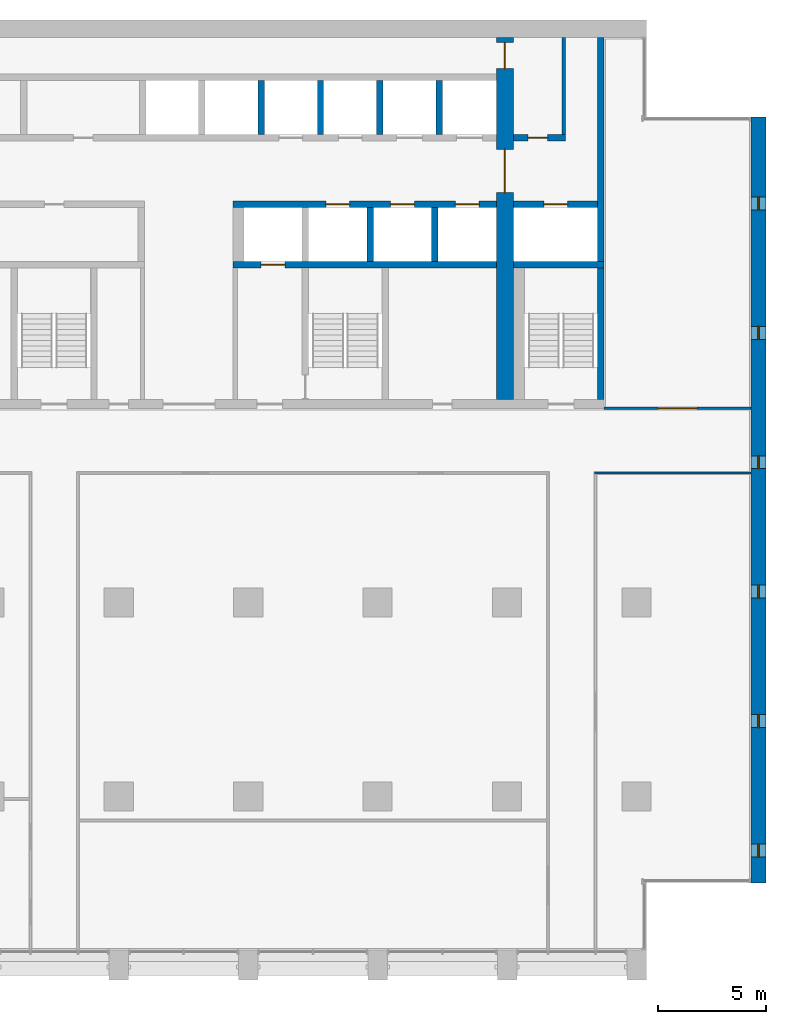
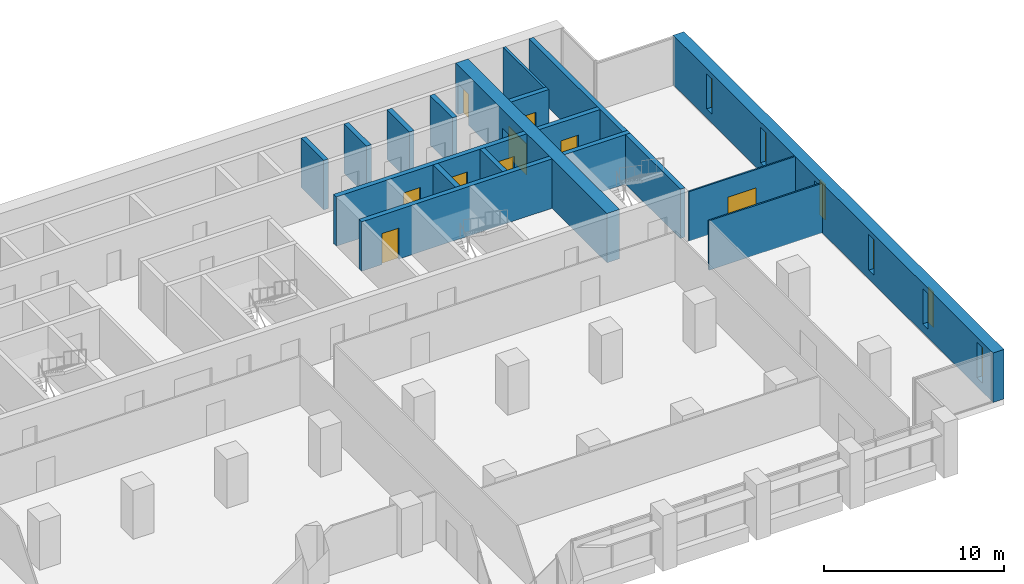
# One storey, part 11 of 15: 18 walls, 9 doors, 6 windows, 15 openings.
"""IFC4 building model written with IfcOpenShell, lengths in metres."""

from ifc_helpers import new_model, si_unit, direction, frame, frame_2d, origin, place, context, subcontext, project, spatial, rectangle, extrude, material, layer, layer_set, type_object, element, fill, save


model = new_model("IFC4")

# Units and contexts
model_context = context("Model", 3, precision=1e-05, world=origin(), true_north=direction((0.0, 1.0)))
body_context = subcontext(model_context, "Body", "Model", "MODEL_VIEW")
ifc_project = project(units=[si_unit("LENGTHUNIT", "METRE"), si_unit("AREAUNIT", "SQUARE_METRE"), si_unit("VOLUMEUNIT", "CUBIC_METRE"), si_unit("PLANEANGLEUNIT", "RADIAN"), si_unit("MASSUNIT", "GRAM", prefix="KILO")], contexts=[model_context])

# Site, building, storey
site_placement = place(None, origin())
site = spatial("IfcSite", under=ifc_project, at=site_placement, CompositionType="ELEMENT")
building_placement = place(site_placement, origin())
building = spatial("IfcBuilding", under=site, at=building_placement, Name="Calvaro Tower", CompositionType="ELEMENT")
storey_placement = place(building_placement, frame((0.0, 0.0, 113.75)))
storey = spatial("IfcBuildingStorey", under=building, at=storey_placement, Name="L28", CompositionType="ELEMENT", Elevation=113.75)

# Wall
ifc_material_1 = material(Name="Blockwork partition", Category="masonry")
ifc_layer_1 = layer(ifc_material_1, 0.14990234375)
ifc_layer_set_1 = layer_set([ifc_layer_1], Name="Blockwork partition")
wall_type_1 = type_object("IfcWallType", Name="Core partition 150 REI 120", PredefinedType="PARTITIONING", material=ifc_layer_set_1)
wall_1_placement = place(storey_placement, frame((62.625, 40.699951171875, 0.0), z_axis=(0.0, 0.0, 1.0), x_axis=(0.0, 1.0, 0.0)))
element("IfcWall", 1, at=wall_1_placement, inside=storey, type_object=wall_type_1, Name="Core partition", PredefinedType="PARTITIONING", context=body_context, shape_type="SweptSolid", body=[
    extrude(rectangle(XDim=4.5, YDim=0.14990234375, at=frame_2d((2.25, 0.0))), origin(), (0.0, 0.0, 1.0), 3.35009765625),
])

# Wall, opening, door
ifc_material_2 = material(Name="Blockwork partition", Category="masonry")
ifc_layer_2 = layer(ifc_material_2, 0.300048828125)
ifc_layer_set_2 = layer_set([ifc_layer_2], Name="Blockwork partition")
wall_type_2 = type_object("IfcWallType", Name="Core partition 300 REI 120", PredefinedType="PARTITIONING", material=ifc_layer_set_2)
wall_2_placement = place(storey_placement, frame((60.300048828125, 40.550048828125, 0.0), z_axis=(0.0, 0.0, 1.0), x_axis=(1.0, 0.0, 0.0)))
wall_2 = element("IfcWall", 2, at=wall_2_placement, inside=storey, type_object=wall_type_2, Name="Core partition", PredefinedType="PARTITIONING", context=body_context, shape_type="SweptSolid", body=[
    extrude(rectangle(XDim=2.39990234375, YDim=0.300048828125, at=frame_2d((1.199951171875, 0.0))), origin(), (0.0, 0.0, 1.0), 3.35009765625),
])
opening_1_placement = place(wall_2_placement, frame((0.675048828125, 0.0, 0.0)))
opening_1 = element("IfcOpeningElement", 3, at=opening_1_placement, cuts=wall_2, Name="Opening RD9C", PredefinedType="OPENING", context=body_context, shape_type="SweptSolid", body=[
    extrude(rectangle(XDim=0.89990234375, YDim=2.10009765625, at=frame_2d((0.449951171875, 1.050048828125))), frame((0.0, 0.159912109375, 0.0), z_axis=(0.0, -1.0, 0.0), x_axis=(1.0, 0.0, 0.0)), (0.0, 0.0, 1.0), 0.320068359375),
])
ifc_material_3 = material(Name="Steel door set", Category="steel")
door_type_1 = type_object("IfcDoorType", Name="Room door 900 FD30", OperationType="SINGLE_SWING_LEFT", PredefinedType="DOOR", material=ifc_material_3)
door_1_placement = place(opening_1_placement, origin())
door_1 = element("IfcDoor", 4, at=door_1_placement, inside=storey, type_object=door_type_1, Name="Room door", OperationType="SINGLE_SWING_LEFT", OverallHeight=2.10009765625, OverallWidth=0.89990234375, PredefinedType="DOOR", context=body_context, shape_type="SweptSolid", body=[
    extrude(rectangle(XDim=0.89990234375, YDim=2.10009765625, at=frame_2d((0.449951171875, 1.050048828125))), frame((0.0, 0.02490234375, 0.0), z_axis=(0.0, -1.0, 0.0), x_axis=(1.0, 0.0, 0.0)), (0.0, 0.0, 1.0), 0.050048828125),
])
fill(opening_1, door_1)

# Walls
ifc_material_4 = material(Name="Concrete C60/75", Category="concrete")
ifc_layer_3 = layer(ifc_material_4, 0.300048828125)
ifc_layer_set_3 = layer_set([ifc_layer_3], Name="Concrete C60/75")
wall_type_3 = type_object("IfcWallType", Name="Core wall C60/75 300", PredefinedType="SHEAR", material=ifc_layer_set_3)
wall_3_placement = place(storey_placement, frame((64.35009765625, 34.800048828125, 0.0), z_axis=(0.0, 0.0, 1.0), x_axis=(0.0, 1.0, 0.0)))
element("IfcWall", 5, at=wall_3_placement, inside=storey, type_object=wall_type_3, Name="Core wall, boundary", PredefinedType="SHEAR", context=body_context, shape_type="SweptSolid", body=[
    extrude(rectangle(XDim=10.39990234375, YDim=0.300048828125, at=frame_2d((5.199951171875, 0.0))), origin(), (0.0, 0.0, 1.0), 3.35009765625),
])
wall_4_placement = place(storey_placement, frame((64.35009765625, 28.39990234375, 0.0), z_axis=(0.0, 0.0, 1.0), x_axis=(0.0, 1.0, 0.0)))
element("IfcWall", 6, at=wall_4_placement, inside=storey, type_object=wall_type_3, Name="Core wall, stair enclosure", PredefinedType="SHEAR", context=body_context, shape_type="SweptSolid", body=[
    extrude(rectangle(XDim=6.10009765625, YDim=0.300048828125, at=frame_2d((3.050048828125, 0.0))), origin(), (0.0, 0.0, 1.0), 3.35009765625),
])

# Wall, opening, door
wall_5_placement = place(storey_placement, frame((47.300048828125, 34.64990234375, 0.0), z_axis=(0.0, 0.0, 1.0), x_axis=(1.0, 0.0, 0.0)))
wall_5 = element("IfcWall", 7, at=wall_5_placement, inside=storey, type_object=wall_type_3, Name="Core wall, lift shaft", PredefinedType="SHEAR", context=body_context, shape_type="SweptSolid", body=[
    extrude(rectangle(XDim=12.199951171875, YDim=0.300048828125, at=frame_2d((6.10009765625, 0.0))), origin(), (0.0, 0.0, 1.0), 3.35009765625),
])
opening_2_placement = place(wall_5_placement, frame((1.300048828125, 0.0, 0.0)))
opening_2 = element("IfcOpeningElement", 8, at=opening_2_placement, cuts=wall_5, Name="Opening FF2", PredefinedType="OPENING", context=body_context, shape_type="SweptSolid", body=[
    extrude(rectangle(XDim=1.10009765625, YDim=2.10009765625, at=frame_2d((0.550048828125, 1.050048828125))), frame((0.0, 0.159912109375, 0.0), z_axis=(0.0, -1.0, 0.0), x_axis=(1.0, 0.0, 0.0)), (0.0, 0.0, 1.0), 0.320068359375),
])
ifc_material_5 = material(Name="Stainless steel", Category="steel")
door_type_2 = type_object("IfcDoorType", Name="Landing door 1100 E 60", OperationType="SLIDING_TO_LEFT", PredefinedType="DOOR", material=ifc_material_5)
door_2_placement = place(opening_2_placement, origin())
door_2 = element("IfcDoor", 9, at=door_2_placement, inside=storey, type_object=door_type_2, Name="Landing door FF2", OperationType="SLIDING_TO_LEFT", OverallHeight=2.10009765625, OverallWidth=1.10009765625, PredefinedType="DOOR", context=body_context, shape_type="SweptSolid", body=[
    extrude(rectangle(XDim=1.10009765625, YDim=2.10009765625, at=frame_2d((0.550048828125, 1.050048828125))), frame((0.0, 0.02490234375, 0.0), z_axis=(0.0, -1.0, 0.0), x_axis=(1.0, 0.0, 0.0)), (0.0, 0.0, 1.0), 0.050048828125),
])
fill(opening_2, door_2)

# Wall
wall_6_placement = place(storey_placement, frame((60.300048828125, 34.64990234375, 0.0), z_axis=(0.0, 0.0, 1.0), x_axis=(1.0, 0.0, 0.0)))
element("IfcWall", 10, at=wall_6_placement, inside=storey, type_object=wall_type_3, Name="Core wall, lift shaft", PredefinedType="SHEAR", context=body_context, shape_type="SweptSolid", body=[
    extrude(rectangle(XDim=4.199951171875, YDim=0.300048828125, at=frame_2d((2.10009765625, 0.0))), origin(), (0.0, 0.0, 1.0), 3.35009765625),
])

# Wall, openings, doors
wall_7_placement = place(storey_placement, frame((47.300048828125, 37.449951171875, 0.0), z_axis=(0.0, 0.0, 1.0), x_axis=(1.0, 0.0, 0.0)))
wall_7 = element("IfcWall", 11, at=wall_7_placement, inside=storey, type_object=wall_type_3, Name="Core wall, lift shaft", PredefinedType="SHEAR", context=body_context, shape_type="SweptSolid", body=[
    extrude(rectangle(XDim=12.199951171875, YDim=0.300048828125, at=frame_2d((6.10009765625, 0.0))), origin(), (0.0, 0.0, 1.0), 3.35009765625),
])
opening_3_placement = place(wall_7_placement, frame((4.300048828125, 0.0, 0.0)))
opening_3 = element("IfcOpeningElement", 12, at=opening_3_placement, cuts=wall_7, Name="Opening MR1", PredefinedType="OPENING", context=body_context, shape_type="SweptSolid", body=[
    extrude(rectangle(XDim=1.10009765625, YDim=2.10009765625, at=frame_2d((0.550048828125, 1.050048828125))), frame((0.0, 0.159912109375, 0.0), z_axis=(0.0, -1.0, 0.0), x_axis=(1.0, 0.0, 0.0)), (0.0, 0.0, 1.0), 0.320068359375),
])
opening_4_placement = place(wall_7_placement, frame((7.300048828125, 0.0, 0.0)))
opening_4 = element("IfcOpeningElement", 13, at=opening_4_placement, cuts=wall_7, Name="Opening MR2", PredefinedType="OPENING", context=body_context, shape_type="SweptSolid", body=[
    extrude(rectangle(XDim=1.10009765625, YDim=2.10009765625, at=frame_2d((0.550048828125, 1.050048828125))), frame((0.0, 0.159912109375, 0.0), z_axis=(0.0, -1.0, 0.0), x_axis=(1.0, 0.0, 0.0)), (0.0, 0.0, 1.0), 0.320068359375),
])
opening_5_placement = place(wall_7_placement, frame((10.300048828125, 0.0, 0.0)))
opening_5 = element("IfcOpeningElement", 14, at=opening_5_placement, cuts=wall_7, Name="Opening MR3", PredefinedType="OPENING", context=body_context, shape_type="SweptSolid", body=[
    extrude(rectangle(XDim=1.10009765625, YDim=2.10009765625, at=frame_2d((0.550048828125, 1.050048828125))), frame((0.0, 0.159912109375, 0.0), z_axis=(0.0, -1.0, 0.0), x_axis=(1.0, 0.0, 0.0)), (0.0, 0.0, 1.0), 0.320068359375),
])
door_3_placement = place(opening_3_placement, origin())
door_3 = element("IfcDoor", 15, at=door_3_placement, inside=storey, type_object=door_type_2, Name="Landing door MR1", OperationType="SLIDING_TO_LEFT", OverallHeight=2.10009765625, OverallWidth=1.10009765625, PredefinedType="DOOR", context=body_context, shape_type="SweptSolid", body=[
    extrude(rectangle(XDim=1.10009765625, YDim=2.10009765625, at=frame_2d((0.550048828125, 1.050048828125))), frame((0.0, 0.02490234375, 0.0), z_axis=(0.0, -1.0, 0.0), x_axis=(1.0, 0.0, 0.0)), (0.0, 0.0, 1.0), 0.050048828125),
])
fill(opening_3, door_3)
door_4_placement = place(opening_4_placement, origin())
door_4 = element("IfcDoor", 16, at=door_4_placement, inside=storey, type_object=door_type_2, Name="Landing door MR2", OperationType="SLIDING_TO_LEFT", OverallHeight=2.10009765625, OverallWidth=1.10009765625, PredefinedType="DOOR", context=body_context, shape_type="SweptSolid", body=[
    extrude(rectangle(XDim=1.10009765625, YDim=2.10009765625, at=frame_2d((0.550048828125, 1.050048828125))), frame((0.0, 0.02490234375, 0.0), z_axis=(0.0, -1.0, 0.0), x_axis=(1.0, 0.0, 0.0)), (0.0, 0.0, 1.0), 0.050048828125),
])
fill(opening_4, door_4)
door_5_placement = place(opening_5_placement, origin())
door_5 = element("IfcDoor", 17, at=door_5_placement, inside=storey, type_object=door_type_2, Name="Landing door MR3", OperationType="SLIDING_TO_LEFT", OverallHeight=2.10009765625, OverallWidth=1.10009765625, PredefinedType="DOOR", context=body_context, shape_type="SweptSolid", body=[
    extrude(rectangle(XDim=1.10009765625, YDim=2.10009765625, at=frame_2d((0.550048828125, 1.050048828125))), frame((0.0, 0.02490234375, 0.0), z_axis=(0.0, -1.0, 0.0), x_axis=(1.0, 0.0, 0.0)), (0.0, 0.0, 1.0), 0.050048828125),
])
fill(opening_5, door_5)

# Wall, opening, door
wall_8_placement = place(storey_placement, frame((60.300048828125, 37.449951171875, 0.0), z_axis=(0.0, 0.0, 1.0), x_axis=(1.0, 0.0, 0.0)))
wall_8 = element("IfcWall", 18, at=wall_8_placement, inside=storey, type_object=wall_type_3, Name="Core wall, lift shaft", PredefinedType="SHEAR", context=body_context, shape_type="SweptSolid", body=[
    extrude(rectangle(XDim=3.89990234375, YDim=0.300048828125, at=frame_2d((1.949951171875, 0.0))), origin(), (0.0, 0.0, 1.0), 3.35009765625),
])
opening_6_placement = place(wall_8_placement, frame((1.39990234375, 0.0, 0.0)))
opening_6 = element("IfcOpeningElement", 19, at=opening_6_placement, cuts=wall_8, Name="Opening FF3", PredefinedType="OPENING", context=body_context, shape_type="SweptSolid", body=[
    extrude(rectangle(XDim=1.10009765625, YDim=2.10009765625, at=frame_2d((0.550048828125, 1.050048828125))), frame((0.0, 0.159912109375, 0.0), z_axis=(0.0, -1.0, 0.0), x_axis=(1.0, 0.0, 0.0)), (0.0, 0.0, 1.0), 0.320068359375),
])
door_6_placement = place(opening_6_placement, origin())
door_6 = element("IfcDoor", 20, at=door_6_placement, inside=storey, type_object=door_type_2, Name="Landing door FF3", OperationType="SLIDING_TO_LEFT", OverallHeight=2.10009765625, OverallWidth=1.10009765625, PredefinedType="DOOR", context=body_context, shape_type="SweptSolid", body=[
    extrude(rectangle(XDim=1.10009765625, YDim=2.10009765625, at=frame_2d((0.550048828125, 1.050048828125))), frame((0.0, 0.02490234375, 0.0), z_axis=(0.0, -1.0, 0.0), x_axis=(1.0, 0.0, 0.0)), (0.0, 0.0, 1.0), 0.050048828125),
])
fill(opening_6, door_6)

# Walls
for number, where, z_axis, x_axis, name in (
    (21, (53.64990234375, 34.800048828125, 0.0), (0.0, 0.0, 1.0), (0.0, 1.0, 0.0), "Core wall, lift shaft"),
    (22, (56.64990234375, 34.800048828125, 0.0), (0.0, 0.0, 1.0), (0.0, 1.0, 0.0), "Core wall, lift shaft"),
    (23, (48.60009765625, 40.699951171875, 0.0), (0.0, 0.0, 1.0), (0.0, 1.0, 0.0), "Core wall, lift shaft"),
    (24, (51.35009765625, 40.699951171875, 0.0), (0.0, 0.0, 1.0), (0.0, 1.0, 0.0), "Core wall, lift shaft"),
    (25, (54.10009765625, 40.699951171875, 0.0), (0.0, 0.0, 1.0), (0.0, 1.0, 0.0), "Core wall, lift shaft"),
    (26, (56.85009765625, 40.699951171875, 0.0), (0.0, 0.0, 1.0), (0.0, 1.0, 0.0), "Core wall, lift shaft"),
):
    element("IfcWall", number, at=place(storey_placement, frame(where, z_axis=z_axis, x_axis=x_axis)), inside=storey, type_object=wall_type_3, Name=name, PredefinedType="SHEAR", context=body_context, shape_type="SweptSolid", body=[
        extrude(rectangle(XDim=2.5, YDim=0.300048828125, at=frame_2d((1.25, 0.0))), origin(), (0.0, 0.0, 1.0), 3.35009765625),
    ])

# Wall, openings, doors
ifc_material_6 = material(Name="Concrete C60/75", Category="concrete")
ifc_layer_4 = layer(ifc_material_6, 0.800048828125)
ifc_layer_set_4 = layer_set([ifc_layer_4], Name="Concrete C60/75")
wall_type_4 = type_object("IfcWallType", Name="Core wall C60/75 800", PredefinedType="SHEAR", material=ifc_layer_set_4)
wall_9_placement = place(storey_placement, frame((59.89990234375, 28.39990234375, 0.0), z_axis=(0.0, 0.0, 1.0), x_axis=(0.0, 1.0, 0.0)))
wall_9 = element("IfcWall", 27, at=wall_9_placement, inside=storey, type_object=wall_type_4, Name="Core wall, cross shear wall", PredefinedType="SHEAR", context=body_context, shape_type="SweptSolid", body=[
    extrude(rectangle(XDim=16.800048828125, YDim=0.800048828125, at=frame_2d((8.39990234375, 0.0))), origin(), (0.0, 0.0, 1.0), 3.35009765625),
])
opening_7_placement = place(wall_9_placement, frame((9.60009765625, 0.0, 0.0)))
opening_7 = element("IfcOpeningElement", 28, at=opening_7_placement, cuts=wall_9, Name="Opening DD20D", PredefinedType="OPENING", context=body_context, shape_type="SweptSolid", body=[
    extrude(rectangle(XDim=2.0, YDim=2.10009765625, at=frame_2d((1.0, 1.050048828125))), frame((0.0, 0.409912109375, 0.0), z_axis=(0.0, -1.0, 0.0), x_axis=(1.0, 0.0, 0.0)), (0.0, 0.0, 1.0), 0.820068359375),
])
opening_8_placement = place(wall_9_placement, frame((15.35009765625, 0.0, 0.0)))
opening_8 = element("IfcOpeningElement", 29, at=opening_8_placement, cuts=wall_9, Name="Opening FD12C", PredefinedType="OPENING", context=body_context, shape_type="SweptSolid", body=[
    extrude(rectangle(XDim=1.199951171875, YDim=2.10009765625, at=frame_2d((0.60009765625, 1.050048828125))), frame((0.0, 0.409912109375, 0.0), z_axis=(0.0, -1.0, 0.0), x_axis=(1.0, 0.0, 0.0)), (0.0, 0.0, 1.0), 0.820068359375),
])
ifc_material_7 = material(Name="Steel door set", Category="steel")
door_type_3 = type_object("IfcDoorType", Name="Fire door 1200 FD30", OperationType="SINGLE_SWING_LEFT", PredefinedType="DOOR", material=ifc_material_7)
door_7_placement = place(opening_8_placement, origin())
door_7 = element("IfcDoor", 30, at=door_7_placement, inside=storey, type_object=door_type_3, Name="Fire door", OperationType="SINGLE_SWING_LEFT", OverallHeight=2.10009765625, OverallWidth=1.199951171875, PredefinedType="DOOR", context=body_context, shape_type="SweptSolid", body=[
    extrude(rectangle(XDim=1.199951171875, YDim=2.10009765625, at=frame_2d((0.60009765625, 1.050048828125))), frame((0.0, 0.02490234375, 0.0), z_axis=(0.0, -1.0, 0.0), x_axis=(1.0, 0.0, 0.0)), (0.0, 0.0, 1.0), 0.050048828125),
])
fill(opening_8, door_7)
ifc_material_8 = material(Name="Steel door set", Category="steel")
door_type_4 = type_object("IfcDoorType", Name="Lobby double door 2000 FD30S", OperationType="DOUBLE_DOOR_SINGLE_SWING", PredefinedType="DOOR", material=ifc_material_8)
door_8_placement = place(opening_7_placement, origin())
door_8 = element("IfcDoor", 31, at=door_8_placement, inside=storey, type_object=door_type_4, Name="Lobby double door", OperationType="DOUBLE_DOOR_SINGLE_SWING", OverallHeight=2.10009765625, OverallWidth=2.0, PredefinedType="DOOR", context=body_context, shape_type="SweptSolid", body=[
    extrude(rectangle(XDim=2.0, YDim=2.10009765625, at=frame_2d((1.0, 1.050048828125))), frame((0.0, 0.02490234375, 0.0), z_axis=(0.0, -1.0, 0.0), x_axis=(1.0, 0.0, 0.0)), (0.0, 0.0, 1.0), 0.050048828125),
])
fill(opening_7, door_8)

# Wall, openings, windows
ifc_material_9 = material(Name="Concrete C60/75", Category="concrete")
ifc_layer_5 = layer(ifc_material_9, 0.699951171875)
ifc_layer_set_5 = layer_set([ifc_layer_5], Name="Concrete C60/75")
wall_type_5 = type_object("IfcWallType", Name="End wall 700 C60/75", PredefinedType="SHEAR", material=ifc_layer_set_5)
wall_10_placement = place(storey_placement, frame((71.64990234375, 6.0, 0.0), z_axis=(0.0, 0.0, 1.0), x_axis=(0.0, 1.0, 0.0)))
wall_10 = element("IfcWall", 32, at=wall_10_placement, inside=storey, type_object=wall_type_5, Name="End shear wall", PredefinedType="SHEAR", context=body_context, shape_type="SweptSolid", body=[
    extrude(rectangle(XDim=35.5, YDim=0.699951171875, at=frame_2d((17.75, 0.0))), origin(), (0.0, 0.0, 1.0), 3.35009765625),
])
opening_9_placement = place(wall_10_placement, frame((1.199951171875, 0.0, 0.60009765625)))
opening_9 = element("IfcOpeningElement", 33, at=opening_9_placement, cuts=wall_10, Name="Opening WE01", PredefinedType="OPENING", context=body_context, shape_type="SweptSolid", body=[
    extrude(rectangle(XDim=0.60009765625, YDim=2.39990234375, at=frame_2d((0.300048828125, 1.199951171875))), frame((0.0, 0.35986328125, 0.0), z_axis=(0.0, -1.0, 0.0), x_axis=(1.0, 0.0, 0.0)), (0.0, 0.0, 1.0), 0.719970703125),
])
opening_10_placement = place(wall_10_placement, frame((7.199951171875, 0.0, 0.60009765625)))
opening_10 = element("IfcOpeningElement", 34, at=opening_10_placement, cuts=wall_10, Name="Opening WE02", PredefinedType="OPENING", context=body_context, shape_type="SweptSolid", body=[
    extrude(rectangle(XDim=0.60009765625, YDim=2.39990234375, at=frame_2d((0.300048828125, 1.199951171875))), frame((0.0, 0.35986328125, 0.0), z_axis=(0.0, -1.0, 0.0), x_axis=(1.0, 0.0, 0.0)), (0.0, 0.0, 1.0), 0.719970703125),
])
opening_11_placement = place(wall_10_placement, frame((13.199951171875, 0.0, 0.60009765625)))
opening_11 = element("IfcOpeningElement", 35, at=opening_11_placement, cuts=wall_10, Name="Opening WE03", PredefinedType="OPENING", context=body_context, shape_type="SweptSolid", body=[
    extrude(rectangle(XDim=0.60009765625, YDim=2.39990234375, at=frame_2d((0.300048828125, 1.199951171875))), frame((0.0, 0.35986328125, 0.0), z_axis=(0.0, -1.0, 0.0), x_axis=(1.0, 0.0, 0.0)), (0.0, 0.0, 1.0), 0.719970703125),
])
opening_12_placement = place(wall_10_placement, frame((19.199951171875, 0.0, 0.60009765625)))
opening_12 = element("IfcOpeningElement", 36, at=opening_12_placement, cuts=wall_10, Name="Opening WE04", PredefinedType="OPENING", context=body_context, shape_type="SweptSolid", body=[
    extrude(rectangle(XDim=0.60009765625, YDim=2.39990234375, at=frame_2d((0.300048828125, 1.199951171875))), frame((0.0, 0.35986328125, 0.0), z_axis=(0.0, -1.0, 0.0), x_axis=(1.0, 0.0, 0.0)), (0.0, 0.0, 1.0), 0.719970703125),
])
opening_13_placement = place(wall_10_placement, frame((25.199951171875, 0.0, 0.60009765625)))
opening_13 = element("IfcOpeningElement", 37, at=opening_13_placement, cuts=wall_10, Name="Opening WE05", PredefinedType="OPENING", context=body_context, shape_type="SweptSolid", body=[
    extrude(rectangle(XDim=0.60009765625, YDim=2.39990234375, at=frame_2d((0.300048828125, 1.199951171875))), frame((0.0, 0.35986328125, 0.0), z_axis=(0.0, -1.0, 0.0), x_axis=(1.0, 0.0, 0.0)), (0.0, 0.0, 1.0), 0.719970703125),
])
opening_14_placement = place(wall_10_placement, frame((31.199951171875, 0.0, 0.60009765625)))
opening_14 = element("IfcOpeningElement", 38, at=opening_14_placement, cuts=wall_10, Name="Opening WE06", PredefinedType="OPENING", context=body_context, shape_type="SweptSolid", body=[
    extrude(rectangle(XDim=0.60009765625, YDim=2.39990234375, at=frame_2d((0.300048828125, 1.199951171875))), frame((0.0, 0.35986328125, 0.0), z_axis=(0.0, -1.0, 0.0), x_axis=(1.0, 0.0, 0.0)), (0.0, 0.0, 1.0), 0.719970703125),
])
ifc_material_10 = material(Name="Glass", Category="glass")
window_type = type_object("IfcWindowType", Name="Slit window 600 x 2400", PartitioningType="SINGLE_PANEL", PredefinedType="WINDOW", material=ifc_material_10)
window_1_placement = place(opening_9_placement, origin())
window_1 = element("IfcWindow", 39, at=window_1_placement, inside=storey, type_object=window_type, Name="Window WE01", OverallHeight=2.39990234375, OverallWidth=0.60009765625, PartitioningType="SINGLE_PANEL", PredefinedType="WINDOW", context=body_context, shape_type="SweptSolid", body=[
    extrude(rectangle(XDim=0.60009765625, YDim=2.39990234375, at=frame_2d((0.300048828125, 1.199951171875))), frame((0.0, 0.030029296875, 0.0), z_axis=(0.0, -1.0, 0.0), x_axis=(1.0, 0.0, 0.0)), (0.0, 0.0, 1.0), 0.06005859375),
])
fill(opening_9, window_1)
window_2_placement = place(opening_10_placement, origin())
window_2 = element("IfcWindow", 40, at=window_2_placement, inside=storey, type_object=window_type, Name="Window WE02", OverallHeight=2.39990234375, OverallWidth=0.60009765625, PartitioningType="SINGLE_PANEL", PredefinedType="WINDOW", context=body_context, shape_type="SweptSolid", body=[
    extrude(rectangle(XDim=0.60009765625, YDim=2.39990234375, at=frame_2d((0.300048828125, 1.199951171875))), frame((0.0, 0.030029296875, 0.0), z_axis=(0.0, -1.0, 0.0), x_axis=(1.0, 0.0, 0.0)), (0.0, 0.0, 1.0), 0.06005859375),
])
fill(opening_10, window_2)
window_3_placement = place(opening_11_placement, origin())
window_3 = element("IfcWindow", 41, at=window_3_placement, inside=storey, type_object=window_type, Name="Window WE03", OverallHeight=2.39990234375, OverallWidth=0.60009765625, PartitioningType="SINGLE_PANEL", PredefinedType="WINDOW", context=body_context, shape_type="SweptSolid", body=[
    extrude(rectangle(XDim=0.60009765625, YDim=2.39990234375, at=frame_2d((0.300048828125, 1.199951171875))), frame((0.0, 0.030029296875, 0.0), z_axis=(0.0, -1.0, 0.0), x_axis=(1.0, 0.0, 0.0)), (0.0, 0.0, 1.0), 0.06005859375),
])
fill(opening_11, window_3)
window_4_placement = place(opening_12_placement, origin())
window_4 = element("IfcWindow", 42, at=window_4_placement, inside=storey, type_object=window_type, Name="Window WE04", OverallHeight=2.39990234375, OverallWidth=0.60009765625, PartitioningType="SINGLE_PANEL", PredefinedType="WINDOW", context=body_context, shape_type="SweptSolid", body=[
    extrude(rectangle(XDim=0.60009765625, YDim=2.39990234375, at=frame_2d((0.300048828125, 1.199951171875))), frame((0.0, 0.030029296875, 0.0), z_axis=(0.0, -1.0, 0.0), x_axis=(1.0, 0.0, 0.0)), (0.0, 0.0, 1.0), 0.06005859375),
])
fill(opening_12, window_4)
window_5_placement = place(opening_13_placement, origin())
window_5 = element("IfcWindow", 43, at=window_5_placement, inside=storey, type_object=window_type, Name="Window WE05", OverallHeight=2.39990234375, OverallWidth=0.60009765625, PartitioningType="SINGLE_PANEL", PredefinedType="WINDOW", context=body_context, shape_type="SweptSolid", body=[
    extrude(rectangle(XDim=0.60009765625, YDim=2.39990234375, at=frame_2d((0.300048828125, 1.199951171875))), frame((0.0, 0.030029296875, 0.0), z_axis=(0.0, -1.0, 0.0), x_axis=(1.0, 0.0, 0.0)), (0.0, 0.0, 1.0), 0.06005859375),
])
fill(opening_13, window_5)
window_6_placement = place(opening_14_placement, origin())
window_6 = element("IfcWindow", 44, at=window_6_placement, inside=storey, type_object=window_type, Name="Window WE06", OverallHeight=2.39990234375, OverallWidth=0.60009765625, PartitioningType="SINGLE_PANEL", PredefinedType="WINDOW", context=body_context, shape_type="SweptSolid", body=[
    extrude(rectangle(XDim=0.60009765625, YDim=2.39990234375, at=frame_2d((0.300048828125, 1.199951171875))), frame((0.0, 0.030029296875, 0.0), z_axis=(0.0, -1.0, 0.0), x_axis=(1.0, 0.0, 0.0)), (0.0, 0.0, 1.0), 0.06005859375),
])
fill(opening_14, window_6)

# Wall
ifc_material_11 = material(Name="Plasterboard on steel studs", Category="steel")
ifc_layer_6 = layer(ifc_material_11, 0.10009765625)
ifc_layer_set_6 = layer_set([ifc_layer_6], Name="Plasterboard on steel studs")
wall_type_6 = type_object("IfcWallType", Name="Partition 100", PredefinedType="PARTITIONING", material=ifc_layer_set_6)
wall_11_placement = place(storey_placement, frame((64.050048828125, 25.0, 0.0), z_axis=(0.0, 0.0, 1.0), x_axis=(1.0, 0.0, 0.0)))
element("IfcWall", 45, at=wall_11_placement, inside=storey, type_object=wall_type_6, Name="Partition T18.W010", PredefinedType="PARTITIONING", context=body_context, shape_type="SweptSolid", body=[
    extrude(rectangle(XDim=7.25, YDim=0.10009765625, at=frame_2d((3.625, 0.0))), origin(), (0.0, 0.0, 1.0), 3.35009765625),
])

# Wall, opening, door
wall_12_placement = place(storey_placement, frame((64.5, 28.0, 0.0), z_axis=(0.0, 0.0, 1.0), x_axis=(1.0, 0.0, 0.0)))
wall_12 = element("IfcWall", 46, at=wall_12_placement, inside=storey, type_object=wall_type_6, Name="Partition T18.W012", PredefinedType="PARTITIONING", context=body_context, shape_type="SweptSolid", body=[
    extrude(rectangle(XDim=6.800048828125, YDim=0.10009765625, at=frame_2d((3.39990234375, 0.0))), origin(), (0.0, 0.0, 1.0), 3.35009765625),
])
opening_15_placement = place(wall_12_placement, frame((2.5, 0.0, 0.0)))
opening_15 = element("IfcOpeningElement", 47, at=opening_15_placement, cuts=wall_12, Name="Opening T18.012", PredefinedType="OPENING", context=body_context, shape_type="SweptSolid", body=[
    extrude(rectangle(XDim=1.800048828125, YDim=2.10009765625, at=frame_2d((0.89990234375, 1.050048828125))), frame((0.0, 0.06005859375, 0.0), z_axis=(0.0, -1.0, 0.0), x_axis=(1.0, 0.0, 0.0)), (0.0, 0.0, 1.0), 0.1201171875),
])
ifc_material_12 = material(Name="Timber", Category="wood")
door_type_5 = type_object("IfcDoorType", Name="Internal double door 1800 x 2100", OperationType="DOUBLE_DOOR_SINGLE_SWING", PredefinedType="DOOR", material=ifc_material_12)
door_9_placement = place(opening_15_placement, origin())
door_9 = element("IfcDoor", 48, at=door_9_placement, inside=storey, type_object=door_type_5, Name="Door T18.012", OperationType="DOUBLE_DOOR_SINGLE_SWING", OverallHeight=2.10009765625, OverallWidth=1.800048828125, PredefinedType="DOOR", context=body_context, shape_type="SweptSolid", body=[
    extrude(rectangle(XDim=1.800048828125, YDim=2.10009765625, at=frame_2d((0.89990234375, 1.050048828125))), frame((0.0, 0.02490234375, 0.0), z_axis=(0.0, -1.0, 0.0), x_axis=(1.0, 0.0, 0.0)), (0.0, 0.0, 1.0), 0.050048828125),
])
fill(opening_15, door_9)

save(model, "model.ifc")
